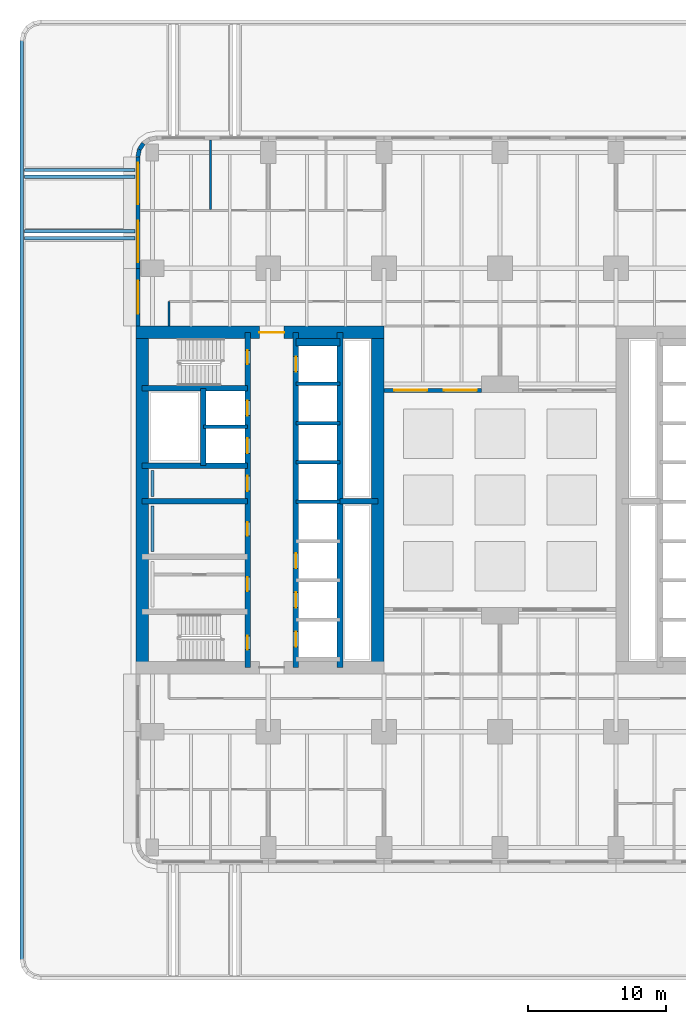
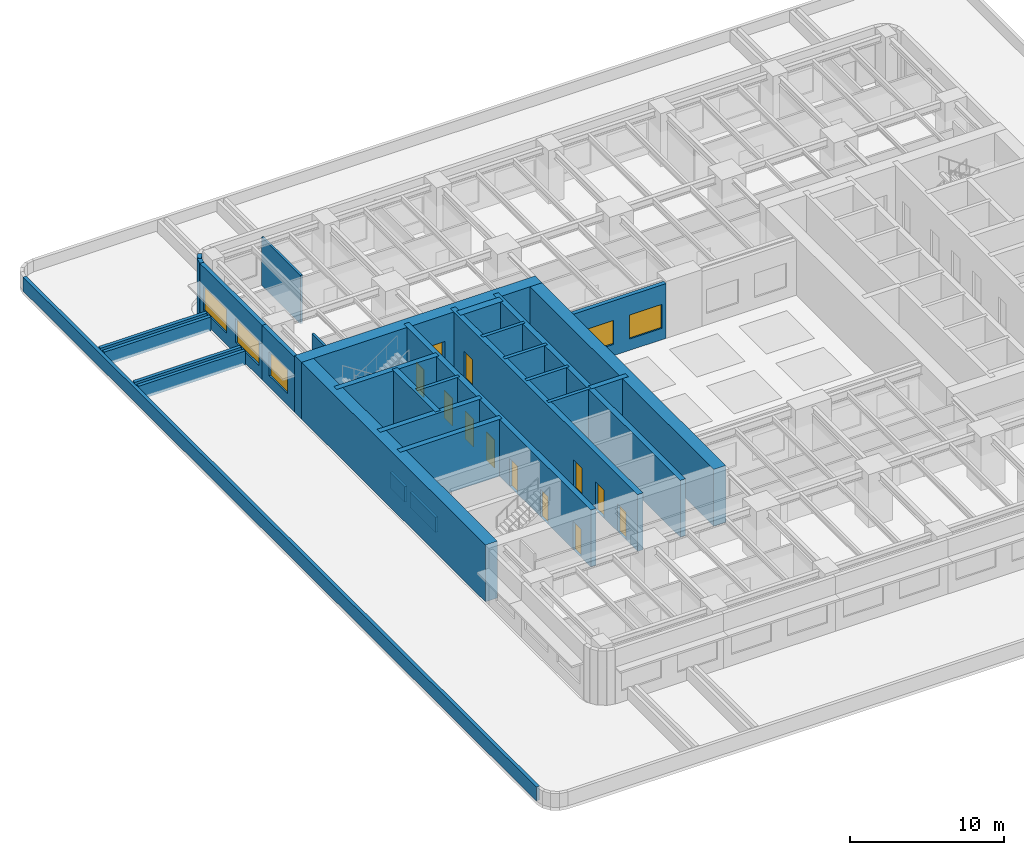
# One storey, part 6 of 17: 31 walls, 12 doors, 5 windows, 17 openings.
"""IFC4 building model written with IfcOpenShell, lengths in metres."""

from ifc_helpers import new_model, si_unit, direction, frame, frame_2d, origin, place, context, subcontext, project, spatial, rectangle, extrude, material, layer, layer_set, type_object, element, fill, save


model = new_model("IFC4")

# Units and contexts
model_context = context("Model", 3, precision=1e-05, world=origin(), true_north=direction((0.0, 1.0)))
body_context = subcontext(model_context, "Body", "Model", "MODEL_VIEW")
ifc_project = project(units=[si_unit("LENGTHUNIT", "METRE"), si_unit("AREAUNIT", "SQUARE_METRE"), si_unit("VOLUMEUNIT", "CUBIC_METRE"), si_unit("PLANEANGLEUNIT", "RADIAN"), si_unit("MASSUNIT", "GRAM", prefix="KILO")], contexts=[model_context])

# Site, building, storey
site_placement = place(None, origin())
site = spatial("IfcSite", under=ifc_project, at=site_placement, CompositionType="ELEMENT")
building_placement = place(site_placement, origin())
building = spatial("IfcBuilding", under=site, at=building_placement, Name="Claustro Exchange Tower", CompositionType="ELEMENT")
storey_placement = place(building_placement, frame((0.0, 0.0, 18.89990234375)))
storey = spatial("IfcBuildingStorey", under=building, at=storey_placement, Name="L04", CompositionType="ELEMENT", Elevation=18.89990234375)

# Walls
ifc_material_1 = material(Name="Gypsum board on steel studs", Category="steel")
ifc_layer_1 = layer(ifc_material_1, 0.14990234375)
ifc_layer_set_1 = layer_set([ifc_layer_1], Name="Gypsum board on steel studs")
wall_type_1 = type_object("IfcWallType", Name="P1 150 plasterboard partition", PredefinedType="PARTITIONING", material=ifc_layer_set_1)
wall_1_placement = place(storey_placement, frame((4.199951171875, 46.27392578125, 0.0), z_axis=(0.0, 0.0, 1.0), x_axis=(0.0, 1.0, 0.0)))
element("IfcWall", 1, at=wall_1_placement, inside=storey, type_object=wall_type_1, Name="Partition P1 L04", PredefinedType="PARTITIONING", context=body_context, shape_type="SweptSolid", body=[
    extrude(rectangle(XDim=5.028076171875, YDim=0.14990234375, at=frame_2d((2.51416015625, 0.0))), origin(), (0.0, 0.0, 1.0), 3.840087890625),
])
wall_2_placement = place(storey_placement, frame((1.199951171875, 37.800048828125, 0.0), z_axis=(0.0, 0.0, 1.0), x_axis=(0.0, 1.0, 0.0)))
element("IfcWall", 2, at=wall_2_placement, inside=storey, type_object=wall_type_1, Name="Partition P1 L04", PredefinedType="PARTITIONING", context=body_context, shape_type="SweptSolid", body=[
    extrude(rectangle(XDim=1.800048828125, YDim=0.14990234375, at=frame_2d((0.89990234375, 0.0))), origin(), (0.0, 0.0, 1.0), 4.340087890625),
])

# Wall, opening, window
ifc_material_2 = material(Name="Concrete HA-40 (C40/50), precast, white cement, acid-etched", Category="concrete")
ifc_layer_2 = layer(ifc_material_2, 0.300048828125)
ifc_layer_set_2 = layer_set([ifc_layer_2], Name="Concrete HA-40 (C40/50), precast, white cement, acid-etched")
wall_type_2 = type_object("IfcWallType", Name="PC1 300 precast concrete pier panel", PredefinedType="SOLIDWALL", material=ifc_layer_set_2)
wall_3_placement = place(storey_placement, frame((-1.050048828125, 37.800048828125, 0.0), z_axis=(0.0, 0.0, 1.0), x_axis=(0.0, 1.0, 0.0)))
wall_3 = element("IfcWall", 3, at=wall_3_placement, inside=storey, type_object=wall_type_2, Name="Precast pier panel PC1 L04", PredefinedType="SOLIDWALL", context=body_context, shape_type="SweptSolid", body=[
    extrude(rectangle(XDim=4.199951171875, YDim=0.300048828125, at=frame_2d((2.10009765625, 0.0))), origin(), (0.0, 0.0, 1.0), 4.340087890625),
])
opening_1_placement = place(wall_3_placement, frame((0.89990234375, 0.0, 0.89990234375)))
opening_1 = element("IfcOpeningElement", 4, at=opening_1_placement, cuts=wall_3, Name="Opening W2", PredefinedType="OPENING", context=body_context, shape_type="SweptSolid", body=[
    extrude(rectangle(XDim=2.39990234375, YDim=1.89990234375, at=frame_2d((1.199951171875, 0.949951171875))), frame((0.0, 0.159912109375, 0.0), z_axis=(0.0, -1.0, 0.0), x_axis=(1.0, 0.0, 0.0)), (0.0, 0.0, 1.0), 0.320068359375),
])
ifc_material_3 = material(Name="Aluminium frame, clear double glazing", Category="aluminium")
window_type_1 = type_object("IfcWindowType", Name="W2 2400 x 1900 window", PartitioningType="SINGLE_PANEL", PredefinedType="WINDOW", material=ifc_material_3)
window_1_placement = place(opening_1_placement, origin())
window_1 = element("IfcWindow", 5, at=window_1_placement, inside=storey, type_object=window_type_1, Name="Window W2 L04", OverallHeight=1.89990234375, OverallWidth=2.39990234375, PartitioningType="SINGLE_PANEL", PredefinedType="WINDOW", context=body_context, shape_type="SweptSolid", body=[
    extrude(rectangle(XDim=2.39990234375, YDim=1.89990234375, at=frame_2d((1.199951171875, 0.949951171875))), frame((0.0, 0.030029296875, 0.0), z_axis=(0.0, -1.0, 0.0), x_axis=(1.0, 0.0, 0.0)), (0.0, 0.0, 1.0), 0.06005859375),
])
fill(opening_1, window_1)

# Wall, openings, windows
wall_4_placement = place(storey_placement, frame((-1.050048828125, 42.0, 0.0), z_axis=(0.0, 0.0, 1.0), x_axis=(0.0, 1.0, 0.0)))
wall_4 = element("IfcWall", 6, at=wall_4_placement, inside=storey, type_object=wall_type_2, Name="Precast pier panel PC1 L04", PredefinedType="SOLIDWALL", context=body_context, shape_type="SweptSolid", body=[
    extrude(rectangle(XDim=8.085205078125, YDim=0.300048828125, at=frame_2d((4.04248046875, 0.0))), origin(), (0.0, 0.0, 1.0), 4.340087890625),
])
opening_2_placement = place(wall_4_placement, frame((0.442626953125, 0.0, 0.89990234375)))
opening_2 = element("IfcOpeningElement", 7, at=opening_2_placement, cuts=wall_4, Name="Opening W1", PredefinedType="OPENING", context=body_context, shape_type="SweptSolid", body=[
    extrude(rectangle(XDim=3.0, YDim=1.89990234375, at=frame_2d((1.5, 0.949951171875))), frame((0.0, 0.159912109375, 0.0), z_axis=(0.0, -1.0, 0.0), x_axis=(1.0, 0.0, 0.0)), (0.0, 0.0, 1.0), 0.320068359375),
])
opening_3_placement = place(wall_4_placement, frame((4.642578125, 0.0, 0.89990234375)))
opening_3 = element("IfcOpeningElement", 8, at=opening_3_placement, cuts=wall_4, Name="Opening W1", PredefinedType="OPENING", context=body_context, shape_type="SweptSolid", body=[
    extrude(rectangle(XDim=3.0, YDim=1.89990234375, at=frame_2d((1.5, 0.949951171875))), frame((0.0, 0.159912109375, 0.0), z_axis=(0.0, -1.0, 0.0), x_axis=(1.0, 0.0, 0.0)), (0.0, 0.0, 1.0), 0.320068359375),
])
ifc_material_4 = material(Name="Aluminium frame, clear double glazing", Category="aluminium")
window_type_2 = type_object("IfcWindowType", Name="W1 3000 x 1900 window", PartitioningType="SINGLE_PANEL", PredefinedType="WINDOW", material=ifc_material_4)
window_2_placement = place(opening_2_placement, origin())
window_2 = element("IfcWindow", 9, at=window_2_placement, inside=storey, type_object=window_type_2, Name="Window W1 L04", OverallHeight=1.89990234375, OverallWidth=3.0, PartitioningType="SINGLE_PANEL", PredefinedType="WINDOW", context=body_context, shape_type="SweptSolid", body=[
    extrude(rectangle(XDim=3.0, YDim=1.89990234375, at=frame_2d((1.5, 0.949951171875))), frame((0.0, 0.030029296875, 0.0), z_axis=(0.0, -1.0, 0.0), x_axis=(1.0, 0.0, 0.0)), (0.0, 0.0, 1.0), 0.06005859375),
])
fill(opening_2, window_2)
window_3_placement = place(opening_3_placement, origin())
window_3 = element("IfcWindow", 10, at=window_3_placement, inside=storey, type_object=window_type_2, Name="Window W1 L04", OverallHeight=1.89990234375, OverallWidth=3.0, PartitioningType="SINGLE_PANEL", PredefinedType="WINDOW", context=body_context, shape_type="SweptSolid", body=[
    extrude(rectangle(XDim=3.0, YDim=1.89990234375, at=frame_2d((1.5, 0.949951171875))), frame((0.0, 0.030029296875, 0.0), z_axis=(0.0, -1.0, 0.0), x_axis=(1.0, 0.0, 0.0)), (0.0, 0.0, 1.0), 0.06005859375),
])
fill(opening_3, window_3)

# Walls
wall_5_placement = place(storey_placement, frame((-1.050048828125, 50.085205078125, 0.0), z_axis=(0.0, 0.0, 1.0), x_axis=(0.195073962632, 0.980788534345, 0.0)))
element("IfcWall", 11, at=wall_5_placement, inside=storey, type_object=wall_type_2, Name="Precast pier panel PC1 L04", PredefinedType="SOLIDWALL", context=body_context, shape_type="SweptSolid", body=[
    extrude(rectangle(XDim=0.540771484375, YDim=0.300048828125, at=frame_2d((0.2705078125, 0.0))), origin(), (0.0, 0.0, 1.0), 4.340087890625),
])
wall_6_placement = place(storey_placement, frame((-0.944580078125, 50.615478515625, 0.0), z_axis=(0.0, 0.0, 1.0), x_axis=(0.555557463938, 0.831478144188, 0.0)))
element("IfcWall", 12, at=wall_6_placement, inside=storey, type_object=wall_type_2, Name="Precast pier panel PC1 L04", PredefinedType="SOLIDWALL", context=body_context, shape_type="SweptSolid", body=[
    extrude(rectangle(XDim=0.525634765625, YDim=0.300048828125, at=frame_2d((0.2626953125, 0.0))), origin(), (0.0, 0.0, 1.0), 4.340087890625),
])

# Wall, openings, windows
wall_7_placement = place(storey_placement, frame((16.800048828125, 33.14990234375, 0.0), z_axis=(0.0, 0.0, 1.0), x_axis=(1.0, 0.0, 0.0)))
wall_7 = element("IfcWall", 13, at=wall_7_placement, inside=storey, type_object=wall_type_2, Name="Precast pier panel PC1 L04", PredefinedType="SOLIDWALL", context=body_context, shape_type="SweptSolid", body=[
    extrude(rectangle(XDim=7.050048828125, YDim=0.300048828125, at=frame_2d((3.52490234375, 0.0))), origin(), (0.0, 0.0, 1.0), 4.340087890625),
])
opening_4_placement = place(wall_7_placement, frame((0.72509765625, 0.0, 0.89990234375)))
opening_4 = element("IfcOpeningElement", 14, at=opening_4_placement, cuts=wall_7, Name="Opening W2", PredefinedType="OPENING", context=body_context, shape_type="SweptSolid", body=[
    extrude(rectangle(XDim=2.39990234375, YDim=1.89990234375, at=frame_2d((1.199951171875, 0.949951171875))), frame((0.0, 0.159912109375, 0.0), z_axis=(0.0, -1.0, 0.0), x_axis=(1.0, 0.0, 0.0)), (0.0, 0.0, 1.0), 0.320068359375),
])
opening_5_placement = place(wall_7_placement, frame((4.324951171875, 0.0, 0.89990234375)))
opening_5 = element("IfcOpeningElement", 15, at=opening_5_placement, cuts=wall_7, Name="Opening W2", PredefinedType="OPENING", context=body_context, shape_type="SweptSolid", body=[
    extrude(rectangle(XDim=2.39990234375, YDim=1.89990234375, at=frame_2d((1.199951171875, 0.949951171875))), frame((0.0, 0.159912109375, 0.0), z_axis=(0.0, -1.0, 0.0), x_axis=(1.0, 0.0, 0.0)), (0.0, 0.0, 1.0), 0.320068359375),
])
window_4_placement = place(opening_4_placement, origin())
window_4 = element("IfcWindow", 16, at=window_4_placement, inside=storey, type_object=window_type_1, Name="Window W2 L04", OverallHeight=1.89990234375, OverallWidth=2.39990234375, PartitioningType="SINGLE_PANEL", PredefinedType="WINDOW", context=body_context, shape_type="SweptSolid", body=[
    extrude(rectangle(XDim=2.39990234375, YDim=1.89990234375, at=frame_2d((1.199951171875, 0.949951171875))), frame((0.0, 0.030029296875, 0.0), z_axis=(0.0, -1.0, 0.0), x_axis=(1.0, 0.0, 0.0)), (0.0, 0.0, 1.0), 0.06005859375),
])
fill(opening_4, window_4)
window_5_placement = place(opening_5_placement, origin())
window_5 = element("IfcWindow", 17, at=window_5_placement, inside=storey, type_object=window_type_1, Name="Window W2 L04", OverallHeight=1.89990234375, OverallWidth=2.39990234375, PartitioningType="SINGLE_PANEL", PredefinedType="WINDOW", context=body_context, shape_type="SweptSolid", body=[
    extrude(rectangle(XDim=2.39990234375, YDim=1.89990234375, at=frame_2d((1.199951171875, 0.949951171875))), frame((0.0, 0.030029296875, 0.0), z_axis=(0.0, -1.0, 0.0), x_axis=(1.0, 0.0, 0.0)), (0.0, 0.0, 1.0), 0.06005859375),
])
fill(opening_5, window_5)

# Walls
ifc_material_5 = material(Name="Concrete HA-40 (C40/50), precast, white cement, acid-etched", Category="concrete")
ifc_layer_3 = layer(ifc_material_5, 0.25)
ifc_layer_set_3 = layer_set([ifc_layer_3], Name="Concrete HA-40 (C40/50), precast, white cement, acid-etched")
wall_type_3 = type_object("IfcWallType", Name="PP1 250 precast concrete parapet", PredefinedType="PARAPET", material=ifc_layer_set_3)
wall_8_placement = place(storey_placement, frame((-9.47509765625, -8.10009765625, 0.0), z_axis=(0.0, 0.0, 1.0), x_axis=(0.0, 1.0, 0.0)))
element("IfcWall", 18, at=wall_8_placement, inside=storey, type_object=wall_type_3, Name="Parapet PP1 roof at +18.900", PredefinedType="PARAPET", context=body_context, shape_type="SweptSolid", body=[
    extrude(rectangle(XDim=66.60009765625, YDim=0.25, at=frame_2d((33.300048828125, 0.0))), origin(), (0.0, 0.0, 1.0), 1.10009765625),
])
for number, where, z_axis, x_axis, name in (
    (19, (-1.280029296875, 49.125, 0.0), (0.0, 0.0, 1.0), (-1.0, 0.0, 0.0), "Parapet PP1 roof at +18.900"),
    (20, (-9.280029296875, 48.625, 0.0), (0.0, 0.0, 1.0), (1.0, 0.0, 0.0), "Parapet PP1 roof at +18.900"),
    (21, (-1.280029296875, 44.675048828125, 0.0), (0.0, 0.0, 1.0), (-1.0, 0.0, 0.0), "Parapet PP1 roof at +18.900"),
    (22, (-9.280029296875, 44.175048828125, 0.0), (0.0, 0.0, 1.0), (1.0, 0.0, 0.0), "Parapet PP1 roof at +18.900"),
):
    element("IfcWall", number, at=place(storey_placement, frame(where, z_axis=z_axis, x_axis=x_axis)), inside=storey, type_object=wall_type_3, Name=name, PredefinedType="PARAPET", context=body_context, shape_type="SweptSolid", body=[
        extrude(rectangle(XDim=8.0, YDim=0.25, at=frame_2d((4.0, 0.0))), origin(), (0.0, 0.0, 1.0), 1.10009765625),
    ])
ifc_material_6 = material(Name="Gypsum board on steel studs, tiled", Category="steel")
ifc_layer_4 = layer(ifc_material_6, 0.199951171875)
ifc_layer_set_4 = layer_set([ifc_layer_4], Name="Gypsum board on steel studs, tiled")
wall_type_4 = type_object("IfcWallType", Name="PW1 200 WC duct wall", PredefinedType="PLUMBINGWALL", material=ifc_layer_set_4)
wall_9_placement = place(storey_placement, frame((0.0, 21.449951171875, 0.0), z_axis=(0.0, 0.0, 1.0), x_axis=(0.0, 1.0, 0.0)))
element("IfcWall", 23, at=wall_9_placement, inside=storey, type_object=wall_type_4, Name="WC duct wall PW1 L04", PredefinedType="PLUMBINGWALL", context=body_context, shape_type="SweptSolid", body=[
    extrude(rectangle(XDim=3.300048828125, YDim=0.199951171875, at=frame_2d((1.64990234375, 0.0))), origin(), (0.0, 0.0, 1.0), 1.2001953125),
])
wall_10_placement = place(storey_placement, frame((0.0, 25.449951171875, 0.0), z_axis=(0.0, 0.0, 1.0), x_axis=(0.0, 1.0, 0.0)))
element("IfcWall", 24, at=wall_10_placement, inside=storey, type_object=wall_type_4, Name="WC duct wall PW1 L04", PredefinedType="PLUMBINGWALL", context=body_context, shape_type="SweptSolid", body=[
    extrude(rectangle(XDim=1.900146484375, YDim=0.199951171875, at=frame_2d((0.9501953125, 0.0))), origin(), (0.0, 0.0, 1.0), 1.2001953125),
])

# Wall, opening, door
ifc_material_7 = material(Name="Concrete HA-70 (C70/85)", Category="concrete")
ifc_layer_5 = layer(ifc_material_7, 0.89990234375)
ifc_layer_set_5 = layer_set([ifc_layer_5], Name="Concrete HA-70 (C70/85)")
wall_type_5 = type_object("IfcWallType", Name="SW1 900 core shear wall", PredefinedType="SHEAR", material=ifc_layer_set_5)
wall_11_placement = place(storey_placement, frame((-1.199951171875, 37.35009765625, 0.0), z_axis=(0.0, 0.0, 1.0), x_axis=(1.0, 0.0, 0.0)))
wall_11 = element("IfcWall", 25, at=wall_11_placement, inside=storey, type_object=wall_type_5, Name="Core wall SW1 W core N face L04", PredefinedType="SHEAR", context=body_context, shape_type="SweptSolid", body=[
    extrude(rectangle(XDim=18.0, YDim=0.89990234375, at=frame_2d((9.0, 0.0))), origin(), (0.0, 0.0, 1.0), 4.5),
])
opening_6_placement = place(wall_11_placement, frame((8.949951171875, 0.0, 0.0)))
opening_6 = element("IfcOpeningElement", 26, at=opening_6_placement, cuts=wall_11, Name="Opening D3", PredefinedType="OPENING", context=body_context, shape_type="SweptSolid", body=[
    extrude(rectangle(XDim=1.800048828125, YDim=2.39990234375, at=frame_2d((0.89990234375, 1.199951171875))), frame((0.0, 0.4599609375, 0.0), z_axis=(0.0, -1.0, 0.0), x_axis=(1.0, 0.0, 0.0)), (0.0, 0.0, 1.0), 0.919921875),
])
ifc_material_8 = material(Name="Steel fire door, painted", Category="steel")
door_type_1 = type_object("IfcDoorType", Name="D3 1800 x 2400 fire-rated lobby double door", OperationType="DOUBLE_DOOR_SINGLE_SWING", PredefinedType="DOOR", material=ifc_material_8)
door_1_placement = place(opening_6_placement, frame((1.800048828125, 0.0, 0.0), z_axis=(0.0, 0.0, 1.0), x_axis=(-1.0, 0.0, 0.0)))
door_1 = element("IfcDoor", 27, at=door_1_placement, inside=storey, type_object=door_type_1, Name="Lift lobby door D3 L04", OperationType="DOUBLE_DOOR_SINGLE_SWING", OverallHeight=2.39990234375, OverallWidth=1.800048828125, PredefinedType="DOOR", context=body_context, shape_type="SweptSolid", body=[
    extrude(rectangle(XDim=1.800048828125, YDim=2.39990234375, at=frame_2d((0.89990234375, 1.199951171875))), frame((0.0, 0.02490234375, 0.0), z_axis=(0.0, -1.0, 0.0), x_axis=(1.0, 0.0, 0.0)), (0.0, 0.0, 1.0), 0.050048828125),
])
fill(opening_6, door_1)

# Walls
ifc_material_9 = material(Name="Concrete HA-70 (C70/85)", Category="concrete")
ifc_layer_6 = layer(ifc_material_9, 0.89990234375)
ifc_layer_set_6 = layer_set([ifc_layer_6], Name="Concrete HA-70 (C70/85)")
wall_type_6 = type_object("IfcWallType", Name="SW1X 900 exposed core shear wall, board-marked face", PredefinedType="SHEAR", material=ifc_layer_set_6)
for number, where, z_axis, x_axis, name in (
    (28, (-0.75, 13.050048828125, 0.0), (0.0, 0.0, 1.0), (0.0, 1.0, 0.0), "Core wall SW1X W core W face L04"),
    (29, (16.35009765625, 13.050048828125, 0.0), (0.0, 0.0, 1.0), (0.0, 1.0, 0.0), "Core wall SW1X W core E face L04"),
):
    element("IfcWall", number, at=place(storey_placement, frame(where, z_axis=z_axis, x_axis=x_axis)), inside=storey, type_object=wall_type_6, Name=name, PredefinedType="SHEAR", context=body_context, shape_type="SweptSolid", body=[
        extrude(rectangle(XDim=24.300048828125, YDim=0.89990234375, at=frame_2d((12.14990234375, 0.0))), origin(), (0.0, 0.0, 1.0), 4.5),
    ])

# Wall, openings, doors
ifc_material_10 = material(Name="Concrete HA-50 (C50/60)", Category="concrete")
ifc_layer_7 = layer(ifc_material_10, 0.39990234375)
ifc_layer_set_7 = layer_set([ifc_layer_7], Name="Concrete HA-50 (C50/60)")
wall_type_7 = type_object("IfcWallType", Name="SW4 400 internal core wall", PredefinedType="SHEAR", material=ifc_layer_set_7)
wall_12_placement = place(storey_placement, frame((6.89990234375, 13.050048828125, 0.0), z_axis=(0.0, 0.0, 1.0), x_axis=(0.0, 1.0, 0.0)))
wall_12 = element("IfcWall", 30, at=wall_12_placement, inside=storey, type_object=wall_type_7, Name="Internal core wall SW4 W core L04", PredefinedType="SHEAR", context=body_context, shape_type="SweptSolid", body=[
    extrude(rectangle(XDim=24.300048828125, YDim=0.39990234375, at=frame_2d((12.14990234375, 0.0))), origin(), (0.0, 0.0, 1.0), 4.5),
])
opening_7_placement = place(wall_12_placement, frame((1.300048828125, 0.0, 0.0)))
opening_7 = element("IfcOpeningElement", 31, at=opening_7_placement, cuts=wall_12, Name="Opening D4", PredefinedType="OPENING", context=body_context, shape_type="SweptSolid", body=[
    extrude(rectangle(XDim=1.0, YDim=2.199951171875, at=frame_2d((0.5, 1.10009765625))), frame((0.0, 0.2099609375, 0.0), z_axis=(0.0, -1.0, 0.0), x_axis=(1.0, 0.0, 0.0)), (0.0, 0.0, 1.0), 0.419921875),
])
opening_8_placement = place(wall_12_placement, frame((22.0, 0.0, 0.0)))
opening_8 = element("IfcOpeningElement", 32, at=opening_8_placement, cuts=wall_12, Name="Opening D4", PredefinedType="OPENING", context=body_context, shape_type="SweptSolid", body=[
    extrude(rectangle(XDim=1.0, YDim=2.199951171875, at=frame_2d((0.5, 1.10009765625))), frame((0.0, 0.2099609375, 0.0), z_axis=(0.0, -1.0, 0.0), x_axis=(1.0, 0.0, 0.0)), (0.0, 0.0, 1.0), 0.419921875),
])
opening_9_placement = place(wall_12_placement, frame((5.550048828125, 0.0, 0.0)))
opening_9 = element("IfcOpeningElement", 33, at=opening_9_placement, cuts=wall_12, Name="Opening D1", PredefinedType="OPENING", context=body_context, shape_type="SweptSolid", body=[
    extrude(rectangle(XDim=1.0, YDim=2.199951171875, at=frame_2d((0.5, 1.10009765625))), frame((0.0, 0.2099609375, 0.0), z_axis=(0.0, -1.0, 0.0), x_axis=(1.0, 0.0, 0.0)), (0.0, 0.0, 1.0), 0.419921875),
])
opening_10_placement = place(wall_12_placement, frame((9.550048828125, 0.0, 0.0)))
opening_10 = element("IfcOpeningElement", 34, at=opening_10_placement, cuts=wall_12, Name="Opening D1", PredefinedType="OPENING", context=body_context, shape_type="SweptSolid", body=[
    extrude(rectangle(XDim=1.0, YDim=2.199951171875, at=frame_2d((0.5, 1.10009765625))), frame((0.0, 0.2099609375, 0.0), z_axis=(0.0, -1.0, 0.0), x_axis=(1.0, 0.0, 0.0)), (0.0, 0.0, 1.0), 0.419921875),
])
opening_11_placement = place(wall_12_placement, frame((12.800048828125, 0.0, 0.0)))
opening_11 = element("IfcOpeningElement", 35, at=opening_11_placement, cuts=wall_12, Name="Opening D10", PredefinedType="OPENING", context=body_context, shape_type="SweptSolid", body=[
    extrude(rectangle(XDim=1.10009765625, YDim=2.199951171875, at=frame_2d((0.550048828125, 1.10009765625))), frame((0.0, 0.2099609375, 0.0), z_axis=(0.0, -1.0, 0.0), x_axis=(1.0, 0.0, 0.0)), (0.0, 0.0, 1.0), 0.419921875),
])
opening_12_placement = place(wall_12_placement, frame((15.53759765625, 0.0, 0.0)))
opening_12 = element("IfcOpeningElement", 36, at=opening_12_placement, cuts=wall_12, Name="Opening LD", PredefinedType="OPENING", context=body_context, shape_type="SweptSolid", body=[
    extrude(rectangle(XDim=1.10009765625, YDim=2.199951171875, at=frame_2d((0.550048828125, 1.10009765625))), frame((0.0, 0.2099609375, 0.0), z_axis=(0.0, -1.0, 0.0), x_axis=(1.0, 0.0, 0.0)), (0.0, 0.0, 1.0), 0.419921875),
])
opening_13_placement = place(wall_12_placement, frame((18.262451171875, 0.0, 0.0)))
opening_13 = element("IfcOpeningElement", 37, at=opening_13_placement, cuts=wall_12, Name="Opening LD", PredefinedType="OPENING", context=body_context, shape_type="SweptSolid", body=[
    extrude(rectangle(XDim=1.10009765625, YDim=2.199951171875, at=frame_2d((0.550048828125, 1.10009765625))), frame((0.0, 0.2099609375, 0.0), z_axis=(0.0, -1.0, 0.0), x_axis=(1.0, 0.0, 0.0)), (0.0, 0.0, 1.0), 0.419921875),
])
ifc_material_11 = material(Name="Timber door, oak veneer", Category="wood")
door_type_2 = type_object("IfcDoorType", Name="D1 1000 x 2200 single door", OperationType="SINGLE_SWING_LEFT", PredefinedType="DOOR", material=ifc_material_11)
door_2_placement = place(opening_9_placement, origin())
door_2 = element("IfcDoor", 38, at=door_2_placement, inside=storey, type_object=door_type_2, Name="Door D1 L04", OperationType="SINGLE_SWING_RIGHT", OverallHeight=2.199951171875, OverallWidth=1.0, PredefinedType="DOOR", context=body_context, shape_type="SweptSolid", body=[
    extrude(rectangle(XDim=1.0, YDim=2.199951171875, at=frame_2d((0.5, 1.10009765625))), frame((0.0, 0.02490234375, 0.0), z_axis=(0.0, -1.0, 0.0), x_axis=(1.0, 0.0, 0.0)), (0.0, 0.0, 1.0), 0.050048828125),
])
fill(opening_9, door_2)
door_3_placement = place(opening_10_placement, origin())
door_3 = element("IfcDoor", 39, at=door_3_placement, inside=storey, type_object=door_type_2, Name="Door D1 L04", OperationType="SINGLE_SWING_RIGHT", OverallHeight=2.199951171875, OverallWidth=1.0, PredefinedType="DOOR", context=body_context, shape_type="SweptSolid", body=[
    extrude(rectangle(XDim=1.0, YDim=2.199951171875, at=frame_2d((0.5, 1.10009765625))), frame((0.0, 0.02490234375, 0.0), z_axis=(0.0, -1.0, 0.0), x_axis=(1.0, 0.0, 0.0)), (0.0, 0.0, 1.0), 0.050048828125),
])
fill(opening_10, door_3)
ifc_material_12 = material(Name="Timber door, oak veneer", Category="wood")
door_type_3 = type_object("IfcDoorType", Name="D10 1100 x 2200 accessible WC door", OperationType="SINGLE_SWING_LEFT", PredefinedType="DOOR", material=ifc_material_12)
door_4_placement = place(opening_11_placement, frame((1.10009765625, 0.0, 0.0), z_axis=(0.0, 0.0, 1.0), x_axis=(-1.0, 0.0, 0.0)))
door_4 = element("IfcDoor", 40, at=door_4_placement, inside=storey, type_object=door_type_3, Name="Accessible WC door D10 L04", OperationType="SINGLE_SWING_LEFT", OverallHeight=2.199951171875, OverallWidth=1.10009765625, PredefinedType="DOOR", context=body_context, shape_type="SweptSolid", body=[
    extrude(rectangle(XDim=1.10009765625, YDim=2.199951171875, at=frame_2d((0.550048828125, 1.10009765625))), frame((0.0, 0.02490234375, 0.0), z_axis=(0.0, -1.0, 0.0), x_axis=(1.0, 0.0, 0.0)), (0.0, 0.0, 1.0), 0.050048828125),
])
fill(opening_11, door_4)
ifc_material_13 = material(Name="Steel fire door, painted", Category="steel")
door_type_4 = type_object("IfcDoorType", Name="D4 1000 x 2200 fire-rated stair door", OperationType="SINGLE_SWING_LEFT", PredefinedType="DOOR", material=ifc_material_13)
door_5_placement = place(opening_7_placement, origin())
door_5 = element("IfcDoor", 41, at=door_5_placement, inside=storey, type_object=door_type_4, Name="Stair door D4 L04", OperationType="SINGLE_SWING_LEFT", OverallHeight=2.199951171875, OverallWidth=1.0, PredefinedType="DOOR", context=body_context, shape_type="SweptSolid", body=[
    extrude(rectangle(XDim=1.0, YDim=2.199951171875, at=frame_2d((0.5, 1.10009765625))), frame((0.0, 0.02490234375, 0.0), z_axis=(0.0, -1.0, 0.0), x_axis=(1.0, 0.0, 0.0)), (0.0, 0.0, 1.0), 0.050048828125),
])
fill(opening_7, door_5)
door_6_placement = place(opening_8_placement, origin())
door_6 = element("IfcDoor", 42, at=door_6_placement, inside=storey, type_object=door_type_4, Name="Stair door D4 L04", OperationType="SINGLE_SWING_RIGHT", OverallHeight=2.199951171875, OverallWidth=1.0, PredefinedType="DOOR", context=body_context, shape_type="SweptSolid", body=[
    extrude(rectangle(XDim=1.0, YDim=2.199951171875, at=frame_2d((0.5, 1.10009765625))), frame((0.0, 0.02490234375, 0.0), z_axis=(0.0, -1.0, 0.0), x_axis=(1.0, 0.0, 0.0)), (0.0, 0.0, 1.0), 0.050048828125),
])
fill(opening_8, door_6)
ifc_material_14 = material(Name="Stainless steel sliding door", Category="steel")
door_type_5 = type_object("IfcDoorType", Name="LD 1100 x 2200 lift landing door", OperationType="DOUBLE_DOOR_SLIDING", PredefinedType="DOOR", material=ifc_material_14)
door_7_placement = place(opening_12_placement, origin())
door_7 = element("IfcDoor", 43, at=door_7_placement, inside=storey, type_object=door_type_5, Name="Lift landing door LEW1 LD L04", OperationType="DOUBLE_DOOR_SLIDING", OverallHeight=2.199951171875, OverallWidth=1.10009765625, PredefinedType="DOOR", context=body_context, shape_type="SweptSolid", body=[
    extrude(rectangle(XDim=1.10009765625, YDim=2.199951171875, at=frame_2d((0.550048828125, 1.10009765625))), frame((0.0, 0.02490234375, 0.0), z_axis=(0.0, -1.0, 0.0), x_axis=(1.0, 0.0, 0.0)), (0.0, 0.0, 1.0), 0.050048828125),
])
fill(opening_12, door_7)
door_8_placement = place(opening_13_placement, origin())
door_8 = element("IfcDoor", 44, at=door_8_placement, inside=storey, type_object=door_type_5, Name="Lift landing door LEW2 LD L04", OperationType="DOUBLE_DOOR_SLIDING", OverallHeight=2.199951171875, OverallWidth=1.10009765625, PredefinedType="DOOR", context=body_context, shape_type="SweptSolid", body=[
    extrude(rectangle(XDim=1.10009765625, YDim=2.199951171875, at=frame_2d((0.550048828125, 1.10009765625))), frame((0.0, 0.02490234375, 0.0), z_axis=(0.0, -1.0, 0.0), x_axis=(1.0, 0.0, 0.0)), (0.0, 0.0, 1.0), 0.050048828125),
])
fill(opening_13, door_8)

wall_13_placement = place(storey_placement, frame((10.39990234375, 13.050048828125, 0.0), z_axis=(0.0, 0.0, 1.0), x_axis=(0.0, 1.0, 0.0)))
wall_13 = element("IfcWall", 45, at=wall_13_placement, inside=storey, type_object=wall_type_7, Name="Internal core wall SW4 W core L04", PredefinedType="SHEAR", context=body_context, shape_type="SweptSolid", body=[
    extrude(rectangle(XDim=24.300048828125, YDim=0.39990234375, at=frame_2d((12.14990234375, 0.0))), origin(), (0.0, 0.0, 1.0), 4.5),
])
opening_14_placement = place(wall_13_placement, frame((1.5, 0.0, 0.0)))
opening_14 = element("IfcOpeningElement", 46, at=opening_14_placement, cuts=wall_13, Name="Opening LD", PredefinedType="OPENING", context=body_context, shape_type="SweptSolid", body=[
    extrude(rectangle(XDim=1.10009765625, YDim=2.199951171875, at=frame_2d((0.550048828125, 1.10009765625))), frame((0.0, 0.2099609375, 0.0), z_axis=(0.0, -1.0, 0.0), x_axis=(1.0, 0.0, 0.0)), (0.0, 0.0, 1.0), 0.419921875),
])
opening_15_placement = place(wall_13_placement, frame((4.35009765625, 0.0, 0.0)))
opening_15 = element("IfcOpeningElement", 47, at=opening_15_placement, cuts=wall_13, Name="Opening LD", PredefinedType="OPENING", context=body_context, shape_type="SweptSolid", body=[
    extrude(rectangle(XDim=1.10009765625, YDim=2.199951171875, at=frame_2d((0.550048828125, 1.10009765625))), frame((0.0, 0.2099609375, 0.0), z_axis=(0.0, -1.0, 0.0), x_axis=(1.0, 0.0, 0.0)), (0.0, 0.0, 1.0), 0.419921875),
])
opening_16_placement = place(wall_13_placement, frame((7.199951171875, 0.0, 0.0)))
opening_16 = element("IfcOpeningElement", 48, at=opening_16_placement, cuts=wall_13, Name="Opening LD", PredefinedType="OPENING", context=body_context, shape_type="SweptSolid", body=[
    extrude(rectangle(XDim=1.10009765625, YDim=2.199951171875, at=frame_2d((0.550048828125, 1.10009765625))), frame((0.0, 0.2099609375, 0.0), z_axis=(0.0, -1.0, 0.0), x_axis=(1.0, 0.0, 0.0)), (0.0, 0.0, 1.0), 0.419921875),
])
opening_17_placement = place(wall_13_placement, frame((21.449951171875, 0.0, 0.0)))
opening_17 = element("IfcOpeningElement", 49, at=opening_17_placement, cuts=wall_13, Name="Opening LD", PredefinedType="OPENING", context=body_context, shape_type="SweptSolid", body=[
    extrude(rectangle(XDim=1.10009765625, YDim=2.199951171875, at=frame_2d((0.550048828125, 1.10009765625))), frame((0.0, 0.2099609375, 0.0), z_axis=(0.0, -1.0, 0.0), x_axis=(1.0, 0.0, 0.0)), (0.0, 0.0, 1.0), 0.419921875),
])
door_9_placement = place(opening_14_placement, origin())
door_9 = element("IfcDoor", 50, at=door_9_placement, inside=storey, type_object=door_type_5, Name="Lift landing door LLW1 LD L04", OperationType="DOUBLE_DOOR_SLIDING", OverallHeight=2.199951171875, OverallWidth=1.10009765625, PredefinedType="DOOR", context=body_context, shape_type="SweptSolid", body=[
    extrude(rectangle(XDim=1.10009765625, YDim=2.199951171875, at=frame_2d((0.550048828125, 1.10009765625))), frame((0.0, 0.02490234375, 0.0), z_axis=(0.0, -1.0, 0.0), x_axis=(1.0, 0.0, 0.0)), (0.0, 0.0, 1.0), 0.050048828125),
])
fill(opening_14, door_9)
door_10_placement = place(opening_15_placement, origin())
door_10 = element("IfcDoor", 51, at=door_10_placement, inside=storey, type_object=door_type_5, Name="Lift landing door LLW2 LD L04", OperationType="DOUBLE_DOOR_SLIDING", OverallHeight=2.199951171875, OverallWidth=1.10009765625, PredefinedType="DOOR", context=body_context, shape_type="SweptSolid", body=[
    extrude(rectangle(XDim=1.10009765625, YDim=2.199951171875, at=frame_2d((0.550048828125, 1.10009765625))), frame((0.0, 0.02490234375, 0.0), z_axis=(0.0, -1.0, 0.0), x_axis=(1.0, 0.0, 0.0)), (0.0, 0.0, 1.0), 0.050048828125),
])
fill(opening_15, door_10)
door_11_placement = place(opening_16_placement, origin())
door_11 = element("IfcDoor", 52, at=door_11_placement, inside=storey, type_object=door_type_5, Name="Lift landing door LLW3 LD L04", OperationType="DOUBLE_DOOR_SLIDING", OverallHeight=2.199951171875, OverallWidth=1.10009765625, PredefinedType="DOOR", context=body_context, shape_type="SweptSolid", body=[
    extrude(rectangle(XDim=1.10009765625, YDim=2.199951171875, at=frame_2d((0.550048828125, 1.10009765625))), frame((0.0, 0.02490234375, 0.0), z_axis=(0.0, -1.0, 0.0), x_axis=(1.0, 0.0, 0.0)), (0.0, 0.0, 1.0), 0.050048828125),
])
fill(opening_16, door_11)
door_12_placement = place(opening_17_placement, origin())
door_12 = element("IfcDoor", 53, at=door_12_placement, inside=storey, type_object=door_type_5, Name="Lift landing door LSW1 LD L04", OperationType="DOUBLE_DOOR_SLIDING", OverallHeight=2.199951171875, OverallWidth=1.10009765625, PredefinedType="DOOR", context=body_context, shape_type="SweptSolid", body=[
    extrude(rectangle(XDim=1.10009765625, YDim=2.199951171875, at=frame_2d((0.550048828125, 1.10009765625))), frame((0.0, 0.02490234375, 0.0), z_axis=(0.0, -1.0, 0.0), x_axis=(1.0, 0.0, 0.0)), (0.0, 0.0, 1.0), 0.050048828125),
])
fill(opening_17, door_12)

# Walls
wall_14_placement = place(storey_placement, frame((13.60009765625, 13.050048828125, 0.0), z_axis=(0.0, 0.0, 1.0), x_axis=(0.0, 1.0, 0.0)))
element("IfcWall", 54, at=wall_14_placement, inside=storey, type_object=wall_type_7, Name="Internal core wall SW4 W core L04", PredefinedType="SHEAR", context=body_context, shape_type="SweptSolid", body=[
    extrude(rectangle(XDim=24.300048828125, YDim=0.39990234375, at=frame_2d((12.14990234375, 0.0))), origin(), (0.0, 0.0, 1.0), 4.5),
])
for number, where, z_axis, x_axis, name in (
    (55, (-0.75, 25.10009765625, 0.0), (0.0, 0.0, 1.0), (1.0, 0.0, 0.0), "Internal core wall SW4 W core L04"),
    (56, (-0.75, 27.699951171875, 0.0), (0.0, 0.0, 1.0), (1.0, 0.0, 0.0), "Internal core wall SW4 W core L04"),
    (57, (-0.75, 33.300048828125, 0.0), (0.0, 0.0, 1.0), (1.0, 0.0, 0.0), "Internal core wall SW4 W core L04"),
):
    element("IfcWall", number, at=place(storey_placement, frame(where, z_axis=z_axis, x_axis=x_axis)), inside=storey, type_object=wall_type_7, Name=name, PredefinedType="SHEAR", context=body_context, shape_type="SweptSolid", body=[
        extrude(rectangle(XDim=7.64990234375, YDim=0.39990234375, at=frame_2d((3.824951171875, 0.0))), origin(), (0.0, 0.0, 1.0), 4.5),
    ])
wall_15_placement = place(storey_placement, frame((3.699951171875, 27.699951171875, 0.0), z_axis=(0.0, 0.0, 1.0), x_axis=(0.0, 1.0, 0.0)))
element("IfcWall", 58, at=wall_15_placement, inside=storey, type_object=wall_type_7, Name="Internal core wall SW4 W core L04", PredefinedType="SHEAR", context=body_context, shape_type="SweptSolid", body=[
    extrude(rectangle(XDim=5.60009765625, YDim=0.39990234375, at=frame_2d((2.800048828125, 0.0))), origin(), (0.0, 0.0, 1.0), 4.5),
])
wall_16_placement = place(storey_placement, frame((13.60009765625, 25.10009765625, 0.0), z_axis=(0.0, 0.0, 1.0), x_axis=(1.0, 0.0, 0.0)))
element("IfcWall", 59, at=wall_16_placement, inside=storey, type_object=wall_type_7, Name="Internal core wall SW4 W core L04", PredefinedType="SHEAR", context=body_context, shape_type="SweptSolid", body=[
    extrude(rectangle(XDim=2.75, YDim=0.39990234375, at=frame_2d((1.375, 0.0))), origin(), (0.0, 0.0, 1.0), 4.5),
])
ifc_material_15 = material(Name="Concrete HA-50 (C50/60)", Category="concrete")
ifc_layer_8 = layer(ifc_material_15, 0.25)
ifc_layer_set_8 = layer_set([ifc_layer_8], Name="Concrete HA-50 (C50/60)")
wall_type_8 = type_object("IfcWallType", Name="SW5 250 lift shaft divider wall", PredefinedType="SHEAR", material=ifc_layer_set_8)
wall_17_placement = place(storey_placement, frame((3.699951171875, 30.5, 0.0), z_axis=(0.0, 0.0, 1.0), x_axis=(1.0, 0.0, 0.0)))
element("IfcWall", 60, at=wall_17_placement, inside=storey, type_object=wall_type_8, Name="Lift shaft wall W core L04", PredefinedType="SHEAR", context=body_context, shape_type="SweptSolid", body=[
    extrude(rectangle(XDim=3.199951171875, YDim=0.25, at=frame_2d((1.60009765625, 0.0))), origin(), (0.0, 0.0, 1.0), 4.5),
])
for number, where, z_axis, x_axis, name in (
    (61, (10.39990234375, 25.074951171875, 0.0), (0.0, 0.0, 1.0), (1.0, 0.0, 0.0), "Lift shaft wall W core L04"),
    (62, (10.39990234375, 27.925048828125, 0.0), (0.0, 0.0, 1.0), (1.0, 0.0, 0.0), "Lift shaft wall W core L04"),
    (63, (10.39990234375, 30.77490234375, 0.0), (0.0, 0.0, 1.0), (1.0, 0.0, 0.0), "Lift shaft wall W core L04"),
    (64, (10.39990234375, 33.625, 0.0), (0.0, 0.0, 1.0), (1.0, 0.0, 0.0), "Lift shaft wall W core L04"),
):
    element("IfcWall", number, at=place(storey_placement, frame(where, z_axis=z_axis, x_axis=x_axis)), inside=storey, type_object=wall_type_8, Name=name, PredefinedType="SHEAR", context=body_context, shape_type="SweptSolid", body=[
        extrude(rectangle(XDim=3.2001953125, YDim=0.25, at=frame_2d((1.60009765625, 0.0))), origin(), (0.0, 0.0, 1.0), 4.5),
    ])
ifc_material_16 = material(Name="Concrete HA-50 (C50/60)", Category="concrete")
ifc_layer_9 = layer(ifc_material_16, 0.550048828125)
ifc_layer_set_9 = layer_set([ifc_layer_9], Name="Concrete HA-50 (C50/60)")
wall_type_9 = type_object("IfcWallType", Name="SW6 550 lift shaft end wall", PredefinedType="SHEAR", material=ifc_layer_set_9)
wall_18_placement = place(storey_placement, frame((10.39990234375, 36.625, 0.0), z_axis=(0.0, 0.0, 1.0), x_axis=(1.0, 0.0, 0.0)))
element("IfcWall", 65, at=wall_18_placement, inside=storey, type_object=wall_type_9, Name="Lift shaft wall W core L04", PredefinedType="SHEAR", context=body_context, shape_type="SweptSolid", body=[
    extrude(rectangle(XDim=3.2001953125, YDim=0.550048828125, at=frame_2d((1.60009765625, 0.0))), origin(), (0.0, 0.0, 1.0), 4.5),
])

save(model, "model.ifc")
